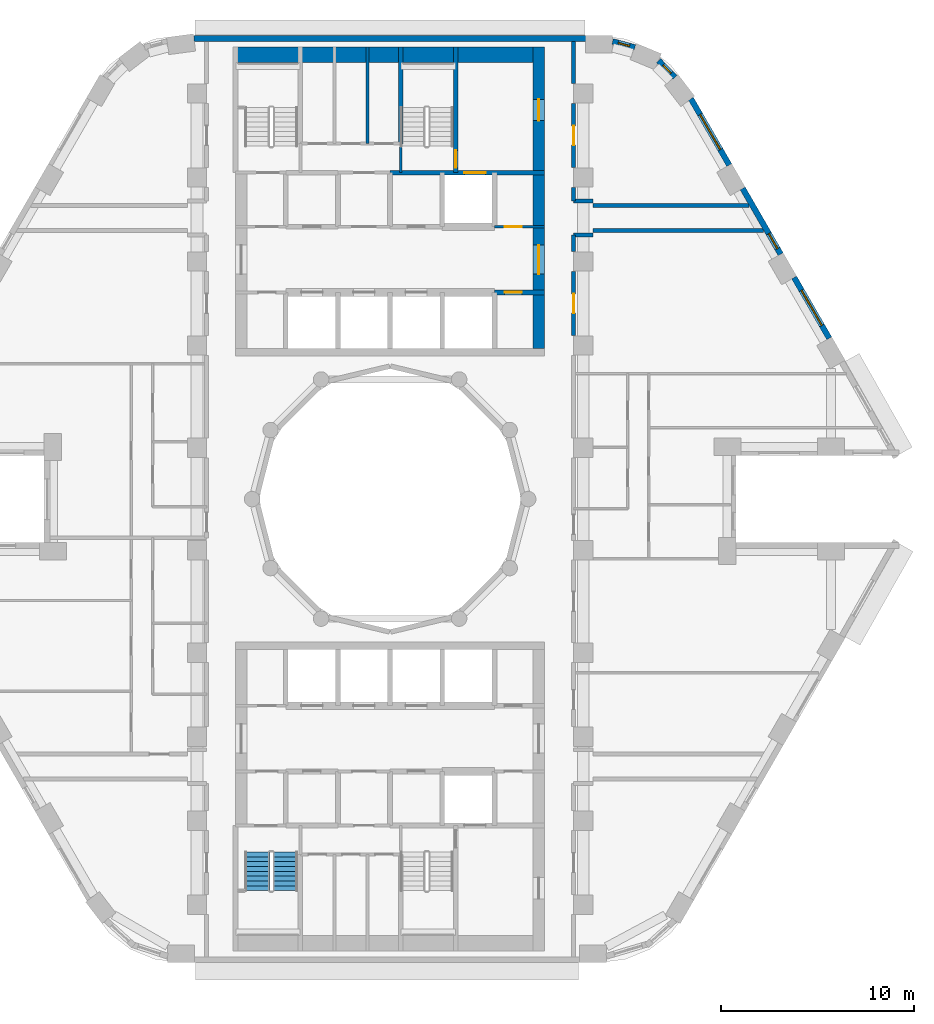
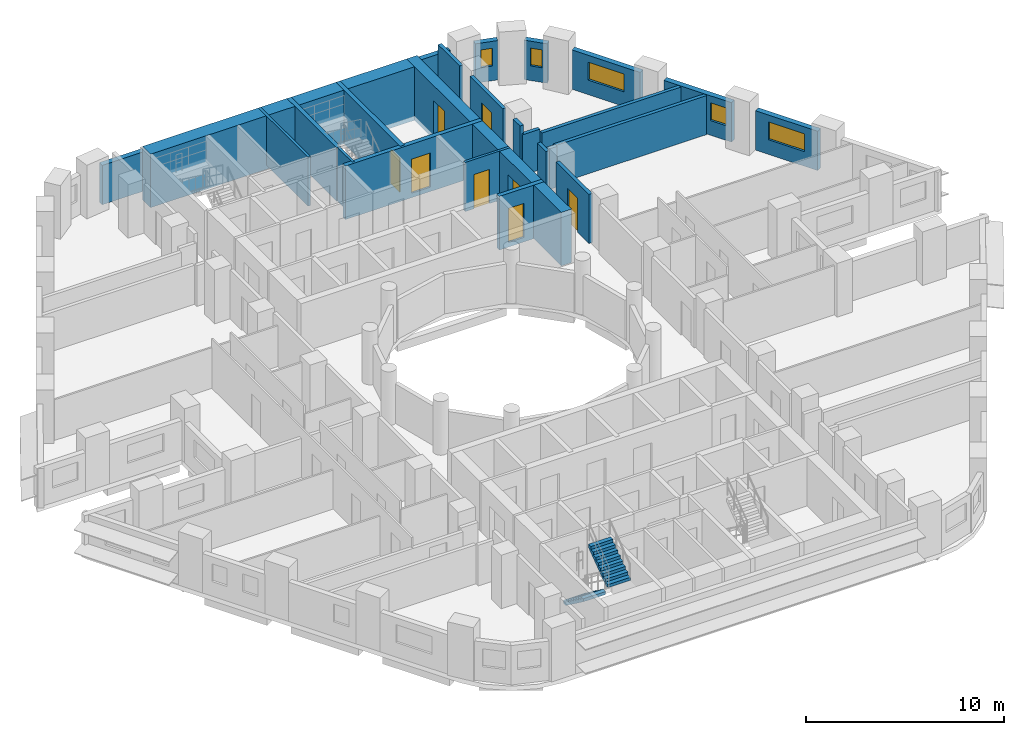
# One storey, part 8 of 12: 24 walls, 8 doors, 5 windows, 2 stair flights, 13 openings, 1 element without a shape of its own.
"""IFC4 building model written with IfcOpenShell, lengths in metres."""

from ifc_helpers import new_model, si_unit, direction, frame, frame_2d, origin, place, context, subcontext, project, spatial, polyline, rectangle, outline, extrude, material, layer, layer_set, type_object, element, fill, aggregate, save


model = new_model("IFC4")

# Units and contexts
model_context = context("Model", 3, precision=1e-05, world=origin(), true_north=direction((0.0, 1.0)))
body_context = subcontext(model_context, "Body", "Model", "MODEL_VIEW")
ifc_project = project(units=[si_unit("LENGTHUNIT", "METRE"), si_unit("AREAUNIT", "SQUARE_METRE"), si_unit("VOLUMEUNIT", "CUBIC_METRE"), si_unit("PLANEANGLEUNIT", "RADIAN"), si_unit("MASSUNIT", "GRAM", prefix="KILO")], contexts=[model_context])

# Site, building, storey
site_placement = place(None, origin())
site = spatial("IfcSite", under=ifc_project, at=site_placement, CompositionType="ELEMENT")
building_placement = place(site_placement, origin())
building = spatial("IfcBuilding", under=site, at=building_placement, Name="Nakaniwa Court", CompositionType="ELEMENT")
storey_placement = place(building_placement, frame((0.0, 0.0, 104.10009765625)))
storey = spatial("IfcBuildingStorey", under=building, at=storey_placement, Name="L27", CompositionType="ELEMENT", Elevation=104.10009765625)

# Wall, opening, door
ifc_material_1 = material(Name="Acoustic double stud partition")
ifc_layer_1 = layer(ifc_material_1, 0.199951171875)
ifc_layer_set_1 = layer_set([ifc_layer_1], Name="Acoustic double stud partition")
wall_type_1 = type_object("IfcWallType", Name="Acoustic double stud partition 200", PredefinedType="PARTITIONING", material=ifc_layer_set_1)
wall_1_placement = place(storey_placement, frame((89.5, 91.782958984375, 0.0), z_axis=(0.0, 0.0, 1.0), x_axis=(0.0, -1.0, 0.0)))
wall_1 = element("IfcWall", 1, at=wall_1_placement, inside=storey, type_object=wall_type_1, Name="Partition PW-076", PredefinedType="PARTITIONING", context=body_context, shape_type="SweptSolid", body=[
    extrude(rectangle(XDim=3.31591796875, YDim=0.199951171875, at=frame_2d((1.657958984375, 0.0))), origin(), (0.0, 0.0, 1.0), 3.02490234375),
])
opening_1_placement = place(wall_1_placement, frame((1.157958984375, 0.0, 0.0)))
opening_1 = element("IfcOpeningElement", 2, at=opening_1_placement, cuts=wall_1, Name="Opening D-02-02", PredefinedType="OPENING", context=body_context, shape_type="SweptSolid", body=[
    extrude(rectangle(XDim=1.0, YDim=2.10009765625, at=frame_2d((0.5, 1.050048828125))), frame((0.0, 0.10986328125, 0.0), z_axis=(0.0, -1.0, 0.0), x_axis=(1.0, 0.0, 0.0)), (0.0, 0.0, 1.0), 0.219970703125),
])
ifc_material_2 = material(Name="Solid core timber door set, black veneer", Category="wood")
door_type_1 = type_object("IfcDoorType", Name="Internal door 1000", OperationType="NOTDEFINED", PredefinedType="DOOR", material=ifc_material_2)
door_1_placement = place(opening_1_placement, origin())
door_1 = element("IfcDoor", 3, at=door_1_placement, inside=storey, type_object=door_type_1, Name="Door D-02-02 L27-034", OperationType="SINGLE_SWING_LEFT", OverallHeight=2.10009765625, OverallWidth=1.0, PredefinedType="DOOR", context=body_context, shape_type="SweptSolid", body=[
    extrude(rectangle(XDim=1.0, YDim=2.10009765625, at=frame_2d((0.5, 1.050048828125))), frame((0.0, 0.02490234375, 0.0), z_axis=(0.0, -1.0, 0.0), x_axis=(1.0, 0.0, 0.0)), (0.0, 0.0, 1.0), 0.050048828125),
])
fill(opening_1, door_1)

# Walls
wall_2_placement = place(storey_placement, frame((89.5, 92.81689453125, 0.0), z_axis=(0.0, 0.0, 1.0), x_axis=(0.0, 1.0, 0.0)))
element("IfcWall", 4, at=wall_2_placement, inside=storey, type_object=wall_type_1, Name="Partition PW-077", PredefinedType="PARTITIONING", context=body_context, shape_type="SweptSolid", body=[
    extrude(rectangle(XDim=0.861083984375, YDim=0.199951171875, at=frame_2d((0.4306640625, 0.0))), origin(), (0.0, 0.0, 1.0), 3.02490234375),
])
wall_3_placement = place(storey_placement, frame((89.5, 95.422119140625, 0.0), z_axis=(0.0, 0.0, 1.0), x_axis=(0.0, 1.0, 0.0)))
element("IfcWall", 5, at=wall_3_placement, inside=storey, type_object=wall_type_1, Name="Partition PW-078", PredefinedType="PARTITIONING", context=body_context, shape_type="SweptSolid", body=[
    extrude(rectangle(XDim=0.7109375, YDim=0.199951171875, at=frame_2d((0.35546875, 0.0))), origin(), (0.0, 0.0, 1.0), 3.02490234375),
])

# Wall, opening, door
wall_4_placement = place(storey_placement, frame((89.5, 100.48291015625, 0.0), z_axis=(0.0, 0.0, 1.0), x_axis=(0.0, -1.0, 0.0)))
wall_4 = element("IfcWall", 6, at=wall_4_placement, inside=storey, type_object=wall_type_1, Name="Partition PW-079", PredefinedType="PARTITIONING", context=body_context, shape_type="SweptSolid", body=[
    extrude(rectangle(XDim=3.31591796875, YDim=0.199951171875, at=frame_2d((1.657958984375, 0.0))), origin(), (0.0, 0.0, 1.0), 3.02490234375),
])
opening_2_placement = place(wall_4_placement, frame((1.157958984375, 0.0, 0.0)))
opening_2 = element("IfcOpeningElement", 7, at=opening_2_placement, cuts=wall_4, Name="Opening D-02-07", PredefinedType="OPENING", context=body_context, shape_type="SweptSolid", body=[
    extrude(rectangle(XDim=1.0, YDim=2.10009765625, at=frame_2d((0.5, 1.050048828125))), frame((0.0, 0.10986328125, 0.0), z_axis=(0.0, -1.0, 0.0), x_axis=(1.0, 0.0, 0.0)), (0.0, 0.0, 1.0), 0.219970703125),
])
door_2_placement = place(opening_2_placement, origin())
door_2 = element("IfcDoor", 8, at=door_2_placement, inside=storey, type_object=door_type_1, Name="Door D-02-07 L27-049", OperationType="SINGLE_SWING_RIGHT", OverallHeight=2.10009765625, OverallWidth=1.0, PredefinedType="DOOR", context=body_context, shape_type="SweptSolid", body=[
    extrude(rectangle(XDim=1.0, YDim=2.10009765625, at=frame_2d((0.5, 1.050048828125))), frame((0.0, 0.02490234375, 0.0), z_axis=(0.0, -1.0, 0.0), x_axis=(1.0, 0.0, 0.0)), (0.0, 0.0, 1.0), 0.050048828125),
])
fill(opening_2, door_2)

# Walls
wall_5_placement = place(storey_placement, frame((89.5, 101.51708984375, 0.0), z_axis=(0.0, 0.0, 1.0), x_axis=(0.0, 1.0, 0.0)))
element("IfcWall", 9, at=wall_5_placement, inside=storey, type_object=wall_type_1, Name="Partition PW-080", PredefinedType="PARTITIONING", context=body_context, shape_type="SweptSolid", body=[
    extrude(rectangle(XDim=2.182861328125, YDim=0.199951171875, at=frame_2d((1.09130859375, 0.0))), origin(), (0.0, 0.0, 1.0), 3.02490234375),
])
wall_6_placement = place(storey_placement, frame((90.5, 93.89990234375, 0.0), z_axis=(0.0, 0.0, 1.0), x_axis=(1.0, 0.0, 0.0)))
element("IfcWall", 10, at=wall_6_placement, inside=storey, type_object=wall_type_1, Name="Partition PW-082", PredefinedType="PARTITIONING", context=body_context, shape_type="SweptSolid", body=[
    extrude(rectangle(XDim=8.84130859375, YDim=0.199951171875, at=frame_2d((4.420654296875, 0.0))), origin(), (0.0, 0.0, 1.0), 2.40478515625),
])
for number, where, z_axis, x_axis, name in (
    (11, (89.5, 93.675048828125, 0.0), (0.0, 0.0, 1.0), (1.0, 0.0, 0.0), "Partition PW-084"),
    (12, (89.5, 95.425048828125, 0.0), (0.0, 0.0, 1.0), (1.0, 0.0, 0.0), "Partition PW-086"),
):
    element("IfcWall", number, at=place(storey_placement, frame(where, z_axis=z_axis, x_axis=x_axis)), inside=storey, type_object=wall_type_1, Name=name, PredefinedType="PARTITIONING", context=body_context, shape_type="SweptSolid", body=[
        extrude(rectangle(XDim=1.0, YDim=0.199951171875, at=frame_2d((0.5, 0.0))), origin(), (0.0, 0.0, 1.0), 2.5048828125),
    ])
wall_7_placement = place(storey_placement, frame((90.5, 95.199951171875, 0.0), z_axis=(0.0, 0.0, 1.0), x_axis=(1.0, 0.0, 0.0)))
element("IfcWall", 13, at=wall_7_placement, inside=storey, type_object=wall_type_1, Name="Partition PW-088", PredefinedType="PARTITIONING", context=body_context, shape_type="SweptSolid", body=[
    extrude(rectangle(XDim=8.0908203125, YDim=0.199951171875, at=frame_2d((4.04541015625, 0.0))), origin(), (0.0, 0.0, 1.0), 2.40478515625),
])

# Wall, opening, window
ifc_material_3 = material(Name="Charcoal ceramic cladding")
ifc_layer_2 = layer(ifc_material_3, 0.02, Name="Ceramic cladding")
ifc_material_4 = material(Name="Ventilated air cavity")
ifc_layer_3 = layer(ifc_material_4, 0.04, ventilated=True, Name="Ventilated cavity")
ifc_material_5 = material(Name="Mineral wool insulation")
ifc_layer_4 = layer(ifc_material_5, 0.1, Name="Insulation")
ifc_material_6 = material(Name="Cement bonded sheathing board")
ifc_layer_5 = layer(ifc_material_6, 0.012, Name="Sheathing")
ifc_material_7 = material(Name="Cold-formed galvanised stud frame with mineral wool infill")
ifc_layer_6 = layer(ifc_material_7, 0.1, Name="Stud frame")
ifc_material_8 = material(Name="Fire-rated gypsum plasterboard lining")
ifc_layer_7 = layer(ifc_material_8, 0.028, Name="Lining")
ifc_layer_set_2 = layer_set([ifc_layer_2, ifc_layer_3, ifc_layer_4, ifc_layer_5, ifc_layer_6, ifc_layer_7], Name="Charcoal ceramic faced external wall system")
wall_type_2 = type_object("IfcWallType", Name="Black ceramic faced external wall 300", PredefinedType="SOLIDWALL", material=ifc_layer_set_2)
wall_8_placement = place(storey_placement, frame((102.734619140625, 88.322509765625, 0.0), z_axis=(0.0, 0.0, 1.0), x_axis=(-0.500009139881, 0.866020126807, 0.0)))
wall_8 = element("IfcWall", 14, at=wall_8_placement, inside=storey, type_object=wall_type_2, Name="L27 external wall 03", PredefinedType="SOLIDWALL", context=body_context, shape_type="SweptSolid", body=[
    extrude(rectangle(XDim=3.63671875, YDim=0.300048828125, at=frame_2d((1.818359375, 0.0))), origin(), (0.0, 0.0, 1.0), 2.4248046875),
])
opening_3_placement = place(wall_8_placement, frame((0.768310546875, 0.0, 0.89990234375)))
opening_3 = element("IfcOpeningElement", 15, at=opening_3_placement, cuts=wall_8, Name="Opening W7.05", PredefinedType="OPENING", context=body_context, shape_type="SweptSolid", body=[
    extrude(rectangle(XDim=2.10009765625, YDim=1.10009765625, at=frame_2d((1.050048828125, 0.550048828125))), frame((0.0, 0.159912109375, 0.0), z_axis=(0.0, -1.0, 0.0), x_axis=(1.0, 0.0, 0.0)), (0.0, 0.0, 1.0), 0.320068359375),
])
ifc_material_9 = material(Name="Black anodised aluminium frame with dark low-E laminated double glazing", Category="aluminium")
window_type_1 = type_object("IfcWindowType", Name="Dark glass window 2100x1100 sill 900", PartitioningType="SINGLE_PANEL", PredefinedType="WINDOW", material=ifc_material_9)
window_1_placement = place(opening_3_placement, origin())
window_1 = element("IfcWindow", 16, at=window_1_placement, inside=storey, type_object=window_type_1, Name="L27 habitable room window 03-0", OverallHeight=1.10009765625, OverallWidth=2.10009765625, PartitioningType="SINGLE_PANEL", PredefinedType="WINDOW", context=body_context, shape_type="SweptSolid", body=[
    extrude(rectangle(XDim=2.10009765625, YDim=1.10009765625, at=frame_2d((1.050048828125, 0.550048828125))), frame((0.0, 0.030029296875, 0.0), z_axis=(0.0, -1.0, 0.0), x_axis=(1.0, 0.0, 0.0)), (0.0, 0.0, 1.0), 0.06005859375),
])
fill(opening_3, window_1)

wall_9_placement = place(storey_placement, frame((100.22021484375, 92.677490234375, 0.0), z_axis=(0.0, 0.0, 1.0), x_axis=(-0.499957037901, 0.866050206543, 0.0)))
wall_9 = element("IfcWall", 17, at=wall_9_placement, inside=storey, type_object=wall_type_2, Name="L27 external wall 04", PredefinedType="SOLIDWALL", context=body_context, shape_type="SweptSolid", body=[
    extrude(rectangle(XDim=3.933837890625, YDim=0.300048828125, at=frame_2d((1.966796875, 0.0))), origin(), (0.0, 0.0, 1.0), 2.4248046875),
])
opening_4_placement = place(wall_9_placement, frame((0.329833984375, 0.0, 0.89990234375)))
opening_4 = element("IfcOpeningElement", 18, at=opening_4_placement, cuts=wall_9, Name="Opening W9.06", PredefinedType="OPENING", context=body_context, shape_type="SweptSolid", body=[
    extrude(rectangle(XDim=0.89990234375, YDim=1.10009765625, at=frame_2d((0.449951171875, 0.550048828125))), frame((0.0, 0.159912109375, 0.0), z_axis=(0.0, -1.0, 0.0), x_axis=(1.0, 0.0, 0.0)), (0.0, 0.0, 1.0), 0.320068359375),
])
window_type_2 = type_object("IfcWindowType", Name="Dark glass window 900x1100 sill 900", PartitioningType="SINGLE_PANEL", PredefinedType="WINDOW", material=ifc_material_9)
window_2_placement = place(opening_4_placement, origin())
window_2 = element("IfcWindow", 19, at=window_2_placement, inside=storey, type_object=window_type_2, Name="L27 habitable room window 04-0", OverallHeight=1.10009765625, OverallWidth=0.89990234375, PartitioningType="SINGLE_PANEL", PredefinedType="WINDOW", context=body_context, shape_type="SweptSolid", body=[
    extrude(rectangle(XDim=0.89990234375, YDim=1.10009765625, at=frame_2d((0.449951171875, 0.550048828125))), frame((0.0, 0.030029296875, 0.0), z_axis=(0.0, -1.0, 0.0), x_axis=(1.0, 0.0, 0.0)), (0.0, 0.0, 1.0), 0.06005859375),
])
fill(opening_4, window_2)

wall_10_placement = place(storey_placement, frame((97.557373046875, 97.289794921875, 0.0), z_axis=(0.0, 0.0, 1.0), x_axis=(-0.500043828347, 0.866000097998, 0.0)))
wall_10 = element("IfcWall", 20, at=wall_10_placement, inside=storey, type_object=wall_type_2, Name="L27 external wall 05", PredefinedType="SOLIDWALL", context=body_context, shape_type="SweptSolid", body=[
    extrude(rectangle(XDim=3.967529296875, YDim=0.300048828125, at=frame_2d((1.98388671875, 0.0))), origin(), (0.0, 0.0, 1.0), 2.4248046875),
])
opening_5_placement = place(wall_10_placement, frame((0.92236328125, 0.0, 0.89990234375)))
opening_5 = element("IfcOpeningElement", 21, at=opening_5_placement, cuts=wall_10, Name="Opening W7.07", PredefinedType="OPENING", context=body_context, shape_type="SweptSolid", body=[
    extrude(rectangle(XDim=2.10009765625, YDim=1.10009765625, at=frame_2d((1.050048828125, 0.550048828125))), frame((0.0, 0.159912109375, 0.0), z_axis=(0.0, -1.0, 0.0), x_axis=(1.0, 0.0, 0.0)), (0.0, 0.0, 1.0), 0.320068359375),
])
window_3_placement = place(opening_5_placement, origin())
window_3 = element("IfcWindow", 22, at=window_3_placement, inside=storey, type_object=window_type_1, Name="L27 habitable room window 05-0", OverallHeight=1.10009765625, OverallWidth=2.10009765625, PartitioningType="SINGLE_PANEL", PredefinedType="WINDOW", context=body_context, shape_type="SweptSolid", body=[
    extrude(rectangle(XDim=2.10009765625, YDim=1.10009765625, at=frame_2d((1.050048828125, 0.550048828125))), frame((0.0, 0.030029296875, 0.0), z_axis=(0.0, -1.0, 0.0), x_axis=(1.0, 0.0, 0.0)), (0.0, 0.0, 1.0), 0.06005859375),
])
fill(opening_5, window_3)

wall_11_placement = place(storey_placement, frame((94.738037109375, 101.839111328125, 0.0), z_axis=(0.0, 0.0, 1.0), x_axis=(-0.697032216592, 0.717039809936, 0.0)))
wall_11 = element("IfcWall", 23, at=wall_11_placement, inside=storey, type_object=wall_type_2, Name="L27 external wall 06", PredefinedType="SOLIDWALL", context=body_context, shape_type="SweptSolid", body=[
    extrude(rectangle(XDim=1.2080078125, YDim=0.300048828125, at=frame_2d((0.60400390625, 0.0))), origin(), (0.0, 0.0, 1.0), 2.4248046875),
])
opening_6_placement = place(wall_11_placement, frame((0.279296875, 0.0, 0.89990234375)))
opening_6 = element("IfcOpeningElement", 24, at=opening_6_placement, cuts=wall_11, Name="Opening W8.08", PredefinedType="OPENING", context=body_context, shape_type="SweptSolid", body=[
    extrude(rectangle(XDim=0.60009765625, YDim=1.10009765625, at=frame_2d((0.300048828125, 0.550048828125))), frame((0.0, 0.159912109375, 0.0), z_axis=(0.0, -1.0, 0.0), x_axis=(1.0, 0.0, 0.0)), (0.0, 0.0, 1.0), 0.320068359375),
])
window_type_3 = type_object("IfcWindowType", Name="Dark glass window 600x1100 sill 900", PartitioningType="SINGLE_PANEL", PredefinedType="WINDOW", material=ifc_material_9)
window_4_placement = place(opening_6_placement, origin())
window_4 = element("IfcWindow", 25, at=window_4_placement, inside=storey, type_object=window_type_3, Name="L27 habitable room window 06-0", OverallHeight=1.10009765625, OverallWidth=0.60009765625, PartitioningType="SINGLE_PANEL", PredefinedType="WINDOW", context=body_context, shape_type="SweptSolid", body=[
    extrude(rectangle(XDim=0.60009765625, YDim=1.10009765625, at=frame_2d((0.300048828125, 0.550048828125))), frame((0.0, 0.030029296875, 0.0), z_axis=(0.0, -1.0, 0.0), x_axis=(1.0, 0.0, 0.0)), (0.0, 0.0, 1.0), 0.06005859375),
])
fill(opening_6, window_4)

wall_12_placement = place(storey_placement, frame((92.669189453125, 103.3818359375, 0.0), z_axis=(0.0, 0.0, 1.0), x_axis=(-0.965278131029, 0.261224290136, 0.0)))
wall_12 = element("IfcWall", 26, at=wall_12_placement, inside=storey, type_object=wall_type_2, Name="L27 external wall 07", PredefinedType="SOLIDWALL", context=body_context, shape_type="SweptSolid", body=[
    extrude(rectangle(XDim=1.189697265625, YDim=0.300048828125, at=frame_2d((0.5947265625, 0.0))), origin(), (0.0, 0.0, 1.0), 2.4248046875),
])
opening_7_placement = place(wall_12_placement, frame((0.28466796875, 0.0, 0.89990234375)))
opening_7 = element("IfcOpeningElement", 27, at=opening_7_placement, cuts=wall_12, Name="Opening W8.09", PredefinedType="OPENING", context=body_context, shape_type="SweptSolid", body=[
    extrude(rectangle(XDim=0.60009765625, YDim=1.10009765625, at=frame_2d((0.300048828125, 0.550048828125))), frame((0.0, 0.159912109375, 0.0), z_axis=(0.0, -1.0, 0.0), x_axis=(1.0, 0.0, 0.0)), (0.0, 0.0, 1.0), 0.320068359375),
])
window_5_placement = place(opening_7_placement, origin())
window_5 = element("IfcWindow", 28, at=window_5_placement, inside=storey, type_object=window_type_3, Name="L27 habitable room window 07-0", OverallHeight=1.10009765625, OverallWidth=0.60009765625, PartitioningType="SINGLE_PANEL", PredefinedType="WINDOW", context=body_context, shape_type="SweptSolid", body=[
    extrude(rectangle(XDim=0.60009765625, YDim=1.10009765625, at=frame_2d((0.300048828125, 0.550048828125))), frame((0.0, 0.030029296875, 0.0), z_axis=(0.0, -1.0, 0.0), x_axis=(1.0, 0.0, 0.0)), (0.0, 0.0, 1.0), 0.06005859375),
])
fill(opening_7, window_5)

# Wall
wall_13_placement = place(storey_placement, frame((90.128662109375, 103.85009765625, 0.0), z_axis=(0.0, 0.0, 1.0), x_axis=(-1.0, 0.0, 0.0)))
element("IfcWall", 29, at=wall_13_placement, inside=storey, type_object=wall_type_2, Name="L27 external wall 08", PredefinedType="SOLIDWALL", context=body_context, shape_type="SweptSolid", body=[
    extrude(rectangle(XDim=20.290771484375, YDim=0.300048828125, at=frame_2d((10.1455078125, 0.0))), origin(), (0.0, 0.0, 1.0), 2.4248046875),
])

# Wall, opening, door
ifc_material_10 = material(Name="Blockwork partition", Category="masonry")
ifc_layer_8 = layer(ifc_material_10, 0.14990234375)
ifc_layer_set_3 = layer_set([ifc_layer_8], Name="Blockwork partition")
wall_type_3 = type_object("IfcWallType", Name="Blockwork partition 150", PredefinedType="PARTITIONING", material=ifc_layer_set_3)
wall_14_placement = place(storey_placement, frame((85.39697265625, 94.10009765625, 0.0), z_axis=(0.0, 0.0, 1.0), x_axis=(1.0, 0.0, 0.0)))
wall_14 = element("IfcWall", 30, at=wall_14_placement, inside=storey, type_object=wall_type_3, Name="Partition PW-018", PredefinedType="PARTITIONING", context=body_context, shape_type="SweptSolid", body=[
    extrude(rectangle(XDim=2.60302734375, YDim=0.14990234375, at=frame_2d((1.301513671875, 0.0))), origin(), (0.0, 0.0, 1.0), 3.02490234375),
])
opening_8_placement = place(wall_14_placement, frame((0.528076171875, 0.0, 0.0)))
opening_8 = element("IfcOpeningElement", 31, at=opening_8_placement, cuts=wall_14, Name="Opening D-05-05", PredefinedType="OPENING", context=body_context, shape_type="SweptSolid", body=[
    extrude(rectangle(XDim=0.89990234375, YDim=2.10009765625, at=frame_2d((0.449951171875, 1.050048828125))), frame((0.0, 0.0849609375, 0.0), z_axis=(0.0, -1.0, 0.0), x_axis=(1.0, 0.0, 0.0)), (0.0, 0.0, 1.0), 0.169921875),
])
ifc_material_11 = material(Name="Fire rated steel door set", Category="steel")
door_type_2 = type_object("IfcDoorType", Name="Service room door 900", OperationType="NOTDEFINED", PredefinedType="DOOR", material=ifc_material_11)
door_3_placement = place(opening_8_placement, origin())
door_3 = element("IfcDoor", 32, at=door_3_placement, inside=storey, type_object=door_type_2, Name="Door D-05-05 L27-007", OperationType="SINGLE_SWING_RIGHT", OverallHeight=2.10009765625, OverallWidth=0.89990234375, PredefinedType="DOOR", context=body_context, shape_type="SweptSolid", body=[
    extrude(rectangle(XDim=0.89990234375, YDim=2.10009765625, at=frame_2d((0.449951171875, 1.050048828125))), frame((0.0, 0.02490234375, 0.0), z_axis=(0.0, -1.0, 0.0), x_axis=(1.0, 0.0, 0.0)), (0.0, 0.0, 1.0), 0.050048828125),
])
fill(opening_8, door_3)

# Wall
wall_15_placement = place(storey_placement, frame((78.833984375, 98.39990234375, 0.0), z_axis=(0.0, 0.0, 1.0), x_axis=(0.0, 1.0, 0.0)))
element("IfcWall", 33, at=wall_15_placement, inside=storey, type_object=wall_type_3, Name="Partition PW-034", PredefinedType="PARTITIONING", context=body_context, shape_type="SweptSolid", body=[
    extrude(rectangle(XDim=5.0, YDim=0.14990234375, at=frame_2d((2.5, 0.0))), origin(), (0.0, 0.0, 1.0), 3.02490234375),
])

# Wall, openings, doors
ifc_material_12 = material(Name="Concrete C80/100", Category="concrete")
ifc_layer_9 = layer(ifc_material_12, 0.60009765625)
ifc_layer_set_4 = layer_set([ifc_layer_9], Name="Concrete C80/100")
wall_type_4 = type_object("IfcWallType", Name="Concrete core side wall 600 C80", PredefinedType="SHEAR", material=ifc_layer_set_4)
wall_16_placement = place(storey_placement, frame((87.699951171875, 103.39990234375, -0.275146484375), z_axis=(0.0, 0.0, 1.0), x_axis=(0.0, -1.0, 0.0)))
wall_16 = element("IfcWall", 34, at=wall_16_placement, inside=storey, type_object=wall_type_4, Name="Core wall SW-15", PredefinedType="SHEAR", context=body_context, shape_type="SweptSolid", body=[
    extrude(rectangle(XDim=15.599853515625, YDim=0.60009765625, at=frame_2d((7.7998046875, 0.0))), origin(), (0.0, 0.0, 1.0), 3.300048828125),
])
opening_9_placement = place(wall_16_placement, frame((10.25, 0.0, 0.27490234375)))
opening_9 = element("IfcOpeningElement", 35, at=opening_9_placement, cuts=wall_16, Name="Opening D-07-01", PredefinedType="OPENING", context=body_context, shape_type="SweptSolid", body=[
    extrude(rectangle(XDim=1.5, YDim=2.10009765625, at=frame_2d((0.75, 1.050048828125))), frame((0.0, 0.31005859375, 0.0), z_axis=(0.0, -1.0, 0.0), x_axis=(1.0, 0.0, 0.0)), (0.0, 0.0, 1.0), 0.6201171875),
])
opening_10_placement = place(wall_16_placement, frame((2.699951171875, 0.0, 0.27490234375)))
opening_10 = element("IfcOpeningElement", 36, at=opening_10_placement, cuts=wall_16, Name="Opening D-10-01", PredefinedType="OPENING", context=body_context, shape_type="SweptSolid", body=[
    extrude(rectangle(XDim=1.10009765625, YDim=2.10009765625, at=frame_2d((0.550048828125, 1.050048828125))), frame((0.0, 0.31005859375, 0.0), z_axis=(0.0, -1.0, 0.0), x_axis=(1.0, 0.0, 0.0)), (0.0, 0.0, 1.0), 0.6201171875),
])
door_type_3 = type_object("IfcDoorType", Name="Firefighting lobby door 1100", OperationType="NOTDEFINED", PredefinedType="DOOR", material=ifc_material_11)
door_4_placement = place(opening_10_placement, origin())
door_4 = element("IfcDoor", 37, at=door_4_placement, inside=storey, type_object=door_type_3, Name="Door D-10-01 L27-053", OperationType="SINGLE_SWING_RIGHT", OverallHeight=2.10009765625, OverallWidth=1.10009765625, PredefinedType="DOOR", context=body_context, shape_type="SweptSolid", body=[
    extrude(rectangle(XDim=1.10009765625, YDim=2.10009765625, at=frame_2d((0.550048828125, 1.050048828125))), frame((0.0, 0.02490234375, 0.0), z_axis=(0.0, -1.0, 0.0), x_axis=(1.0, 0.0, 0.0)), (0.0, 0.0, 1.0), 0.050048828125),
])
fill(opening_10, door_4)
ifc_material_13 = material(Name="Glazed fire rated steel double door set", Category="steel")
door_type_4 = type_object("IfcDoorType", Name="Lobby double door 1500", OperationType="NOTDEFINED", PredefinedType="DOOR", material=ifc_material_13)
door_5_placement = place(opening_9_placement, origin())
door_5 = element("IfcDoor", 38, at=door_5_placement, inside=storey, type_object=door_type_4, Name="Door D-07-01 L27-051", OperationType="DOUBLE_DOOR_SINGLE_SWING", OverallHeight=2.10009765625, OverallWidth=1.5, PredefinedType="DOOR", context=body_context, shape_type="SweptSolid", body=[
    extrude(rectangle(XDim=1.5, YDim=2.10009765625, at=frame_2d((0.75, 1.050048828125))), frame((0.0, 0.02490234375, 0.0), z_axis=(0.0, -1.0, 0.0), x_axis=(1.0, 0.0, 0.0)), (0.0, 0.0, 1.0), 0.050048828125),
])
fill(opening_9, door_5)

# Walls
ifc_layer_10 = layer(ifc_material_12, 0.14990234375)
ifc_layer_set_5 = layer_set([ifc_layer_10], Name="Concrete C80/100")
wall_type_5 = type_object("IfcWallType", Name="Concrete core wall 150 C80", PredefinedType="SHEAR", material=ifc_layer_set_5)
wall_17_placement = place(storey_placement, frame((80.550048828125, 96.89990234375, -0.275146484375), z_axis=(0.0, 0.0, 1.0), x_axis=(0.0, 1.0, 0.0)))
element("IfcWall", 39, at=wall_17_placement, inside=storey, type_object=wall_type_5, Name="Core wall SW-30", PredefinedType="SHEAR", context=body_context, shape_type="SweptSolid", body=[
    extrude(rectangle(XDim=1.503173828125, YDim=0.14990234375, at=frame_2d((0.75146484375, 0.0))), origin(), (0.0, 0.0, 1.0), 3.300048828125),
])
ifc_layer_11 = layer(ifc_material_12, 0.800048828125)
ifc_layer_set_6 = layer_set([ifc_layer_11], Name="Concrete C80/100")
wall_type_6 = type_object("IfcWallType", Name="Concrete core wall 800 C80", PredefinedType="SHEAR", material=ifc_layer_set_6)
wall_18_placement = place(storey_placement, frame((72.00390625, 103.0, -0.275146484375), z_axis=(0.0, 0.0, 1.0), x_axis=(1.0, 0.0, 0.0)))
element("IfcWall", 40, at=wall_18_placement, inside=storey, type_object=wall_type_6, Name="Core wall SW-130", PredefinedType="SHEAR", context=body_context, shape_type="SweptSolid", body=[
    extrude(rectangle(XDim=15.9921875, YDim=0.800048828125, at=frame_2d((7.99609375, 0.0))), origin(), (0.0, 0.0, 1.0), 3.300048828125),
])

# Wall, opening, door
ifc_layer_12 = layer(ifc_material_12, 0.25)
ifc_layer_set_7 = layer_set([ifc_layer_12], Name="Concrete C80/100")
wall_type_7 = type_object("IfcWallType", Name="Concrete shaft wall 250 C80", PredefinedType="SHEAR", material=ifc_layer_set_7)
wall_19_placement = place(storey_placement, frame((88.0, 90.699951171875, -0.275146484375), z_axis=(0.0, 0.0, 1.0), x_axis=(-1.0, 0.0, 0.0)))
wall_19 = element("IfcWall", 41, at=wall_19_placement, inside=storey, type_object=wall_type_7, Name="Core wall SW-14", PredefinedType="SHEAR", context=body_context, shape_type="SweptSolid", body=[
    extrude(rectangle(XDim=2.60009765625, YDim=0.25, at=frame_2d((1.300048828125, 0.0))), origin(), (0.0, 0.0, 1.0), 3.300048828125),
])
opening_11_placement = place(wall_19_placement, frame((1.175048828125, 0.0, 0.27490234375)))
opening_11 = element("IfcOpeningElement", 42, at=opening_11_placement, cuts=wall_19, Name="Opening D-05-02", PredefinedType="OPENING", context=body_context, shape_type="SweptSolid", body=[
    extrude(rectangle(XDim=0.89990234375, YDim=2.10009765625, at=frame_2d((0.449951171875, 1.050048828125))), frame((0.0, 0.135009765625, 0.0), z_axis=(0.0, -1.0, 0.0), x_axis=(1.0, 0.0, 0.0)), (0.0, 0.0, 1.0), 0.27001953125),
])
door_6_placement = place(opening_11_placement, origin())
door_6 = element("IfcDoor", 43, at=door_6_placement, inside=storey, type_object=door_type_2, Name="Door D-05-02 L27-002", OperationType="SINGLE_SWING_LEFT", OverallHeight=2.10009765625, OverallWidth=0.89990234375, PredefinedType="DOOR", context=body_context, shape_type="SweptSolid", body=[
    extrude(rectangle(XDim=0.89990234375, YDim=2.10009765625, at=frame_2d((0.449951171875, 1.050048828125))), frame((0.0, 0.02490234375, 0.0), z_axis=(0.0, -1.0, 0.0), x_axis=(1.0, 0.0, 0.0)), (0.0, 0.0, 1.0), 0.050048828125),
])
fill(opening_11, door_6)

wall_20_placement = place(storey_placement, frame((80.0, 96.89990234375, -0.275146484375), z_axis=(0.0, 0.0, 1.0), x_axis=(1.0, 0.0, 0.0)))
wall_20 = element("IfcWall", 44, at=wall_20_placement, inside=storey, type_object=wall_type_7, Name="Core wall SW-24", PredefinedType="SHEAR", context=body_context, shape_type="SweptSolid", body=[
    extrude(rectangle(XDim=8.0, YDim=0.25, at=frame_2d((4.0, 0.0))), origin(), (0.0, 0.0, 1.0), 3.300048828125),
])
opening_12_placement = place(wall_20_placement, frame((3.84912109375, 0.0, 0.27490234375)))
opening_12 = element("IfcOpeningElement", 45, at=opening_12_placement, cuts=wall_20, Name="Opening LD04", PredefinedType="OPENING", context=body_context, shape_type="SweptSolid", body=[
    extrude(rectangle(XDim=1.10009765625, YDim=2.10009765625, at=frame_2d((0.550048828125, 1.050048828125))), frame((0.0, 0.135009765625, 0.0), z_axis=(0.0, -1.0, 0.0), x_axis=(1.0, 0.0, 0.0)), (0.0, 0.0, 1.0), 0.27001953125),
])
ifc_material_14 = material(Name="Stainless steel sliding lift landing door", Category="steel")
door_type_5 = type_object("IfcDoorType", Name="Lift landing door 1100", OperationType="NOTDEFINED", PredefinedType="DOOR", material=ifc_material_14)
door_7_placement = place(opening_12_placement, origin())
door_7 = element("IfcDoor", 46, at=door_7_placement, inside=storey, type_object=door_type_5, Name="Lift landing door LD04 L27-004", OperationType="SLIDING_TO_LEFT", OverallHeight=2.10009765625, OverallWidth=1.10009765625, PredefinedType="DOOR", context=body_context, shape_type="SweptSolid", body=[
    extrude(rectangle(XDim=1.10009765625, YDim=2.10009765625, at=frame_2d((0.550048828125, 1.050048828125))), frame((0.0, 0.02490234375, 0.0), z_axis=(0.0, -1.0, 0.0), x_axis=(1.0, 0.0, 0.0)), (0.0, 0.0, 1.0), 0.050048828125),
])
fill(opening_12, door_7)

wall_21_placement = place(storey_placement, frame((83.39990234375, 103.39990234375, -0.275146484375), z_axis=(0.0, 0.0, 1.0), x_axis=(0.0, -1.0, 0.0)))
wall_21 = element("IfcWall", 47, at=wall_21_placement, inside=storey, type_object=wall_type_7, Name="Core wall SW-29", PredefinedType="SHEAR", context=body_context, shape_type="SweptSolid", body=[
    extrude(rectangle(XDim=6.5, YDim=0.25, at=frame_2d((3.25, 0.0))), origin(), (0.0, 0.0, 1.0), 3.300048828125),
])
opening_13_placement = place(wall_21_placement, frame((5.35009765625, 0.0, 0.27490234375)))
opening_13 = element("IfcOpeningElement", 48, at=opening_13_placement, cuts=wall_21, Name="Opening D-11-01", PredefinedType="OPENING", context=body_context, shape_type="SweptSolid", body=[
    extrude(rectangle(XDim=0.89990234375, YDim=2.10009765625, at=frame_2d((0.449951171875, 1.050048828125))), frame((0.0, 0.135009765625, 0.0), z_axis=(0.0, -1.0, 0.0), x_axis=(1.0, 0.0, 0.0)), (0.0, 0.0, 1.0), 0.27001953125),
])
door_type_6 = type_object("IfcDoorType", Name="Stair door 900", OperationType="NOTDEFINED", PredefinedType="DOOR", material=ifc_material_11)
door_8_placement = place(opening_13_placement, origin())
door_8 = element("IfcDoor", 49, at=door_8_placement, inside=storey, type_object=door_type_6, Name="Door D-11-01 L27-013", OperationType="SINGLE_SWING_LEFT", OverallHeight=2.10009765625, OverallWidth=0.89990234375, PredefinedType="DOOR", context=body_context, shape_type="SweptSolid", body=[
    extrude(rectangle(XDim=0.89990234375, YDim=2.10009765625, at=frame_2d((0.449951171875, 1.050048828125))), frame((0.0, 0.02490234375, 0.0), z_axis=(0.0, -1.0, 0.0), x_axis=(1.0, 0.0, 0.0)), (0.0, 0.0, 1.0), 0.050048828125),
])
fill(opening_13, door_8)

# Wall
wall_22_placement = place(storey_placement, frame((80.550048828125, 98.39697265625, -0.275146484375), z_axis=(0.0, 0.0, 1.0), x_axis=(0.0, 1.0, 0.0)))
element("IfcWall", 50, at=wall_22_placement, inside=storey, type_object=wall_type_7, Name="Core wall SW-31", PredefinedType="SHEAR", context=body_context, shape_type="SweptSolid", body=[
    extrude(rectangle(XDim=5.0029296875, YDim=0.25, at=frame_2d((2.50146484375, 0.0))), origin(), (0.0, 0.0, 1.0), 3.300048828125),
])

# Stair, stair flights
stair_type = type_object("IfcStairType", Name="Dog leg stair 1300 wide 18 risers", PredefinedType="HALF_TURN_STAIR", material=ifc_material_12)
stair_placement = place(storey_placement, origin())
stair = element("IfcStair", 51, at=stair_placement, inside=storey, type_object=stair_type, Name="L27 Stair ST3", PredefinedType="HALF_TURN_STAIR")
stair_flight_type = type_object("IfcStairFlightType", Name="Stair flight 1300 wide 9 risers", PredefinedType="STRAIGHT", material=ifc_material_12)
stair_flight_1_placement = place(storey_placement, frame((73.125, 61.72509765625, 0.0), z_axis=(0.0, 0.0, 1.0), x_axis=(0.0, -1.0, 0.0)))
stair_flight_1 = element("IfcStairFlight", 52, at=stair_flight_1_placement, type_object=stair_flight_type, Name="ST3 flight 1", NumberOfRisers=9, NumberOfTreads=8, PredefinedType="STRAIGHT", RiserHeight=0.183333333, TreadLength=0.25, context=body_context, shape_type="SweptSolid", body=[
    extrude(outline(polyline([(0.0, 0.0), (0.0, 0.026123046875), (0.0, 0.052490234375), (0.0, 0.07861328125), (0.0, 0.104736328125), (0.0, 0.130859375), (0.0, 0.1572265625), (0.0, 0.183349609375), (0.25, 0.183349609375), (0.25, 0.36669921875), (0.5, 0.36669921875), (0.5, 0.550048828125), (0.75, 0.550048828125), (0.75, 0.7333984375), (1.0, 0.7333984375), (1.0, 0.916748046875), (1.25, 0.916748046875), (1.25, 1.10009765625), (1.5, 1.10009765625), (1.5, 1.283447265625), (1.75, 1.283447265625), (1.75, 1.466552734375), (2.0, 1.466552734375), (2.0, 1.64990234375), (2.0, 1.59716796875), (2.0, 1.54443359375), (2.0, 1.49169921875), (2.0, 1.43896484375), (2.0, 1.38623046875), (2.0, 1.33349609375), (2.0, 1.28076171875), (0.25341796875, 0.0), (0.0, 0.0)])), frame((0.0, 0.64990234375, 0.0), z_axis=(0.0, -1.0, 0.0), x_axis=(1.0, 0.0, 0.0)), (0.0, 0.0, 1.0), 1.300048828125),
])
stair_flight_2_placement = place(storey_placement, frame((74.574951171875, 59.72509765625, 1.64990234375), z_axis=(0.0, 0.0, 1.0), x_axis=(0.0, 1.0, 0.0)))
stair_flight_2 = element("IfcStairFlight", 53, at=stair_flight_2_placement, type_object=stair_flight_type, Name="ST3 flight 2", NumberOfRisers=9, NumberOfTreads=8, PredefinedType="STRAIGHT", RiserHeight=0.183333333, TreadLength=0.25, context=body_context, shape_type="SweptSolid", body=[
    extrude(outline(polyline([(0.0, 0.0), (0.0, 0.026123046875), (0.0, 0.052490234375), (0.0, 0.07861328125), (0.0, 0.104736328125), (0.0, 0.130859375), (0.0, 0.1572265625), (0.0, 0.183349609375), (0.25, 0.183349609375), (0.25, 0.36669921875), (0.5, 0.36669921875), (0.5, 0.550048828125), (0.75, 0.550048828125), (0.75, 0.7333984375), (1.0, 0.7333984375), (1.0, 0.916748046875), (1.25, 0.916748046875), (1.25, 1.10009765625), (1.5, 1.10009765625), (1.5, 1.283447265625), (1.75, 1.283447265625), (1.75, 1.466552734375), (2.0, 1.466552734375), (2.0, 1.64990234375), (2.0, 1.59716796875), (2.0, 1.54443359375), (2.0, 1.49169921875), (2.0, 1.43896484375), (2.0, 1.38623046875), (2.0, 1.33349609375), (2.0, 1.28076171875), (0.25341796875, 0.0), (0.0, 0.0)])), frame((0.0, 0.64990234375, 0.0), z_axis=(0.0, -1.0, 0.0), x_axis=(1.0, 0.0, 0.0)), (0.0, 0.0, 1.0), 1.300048828125),
])
aggregate(stair, [stair_flight_1, stair_flight_2])

save(model, "model.ifc")
